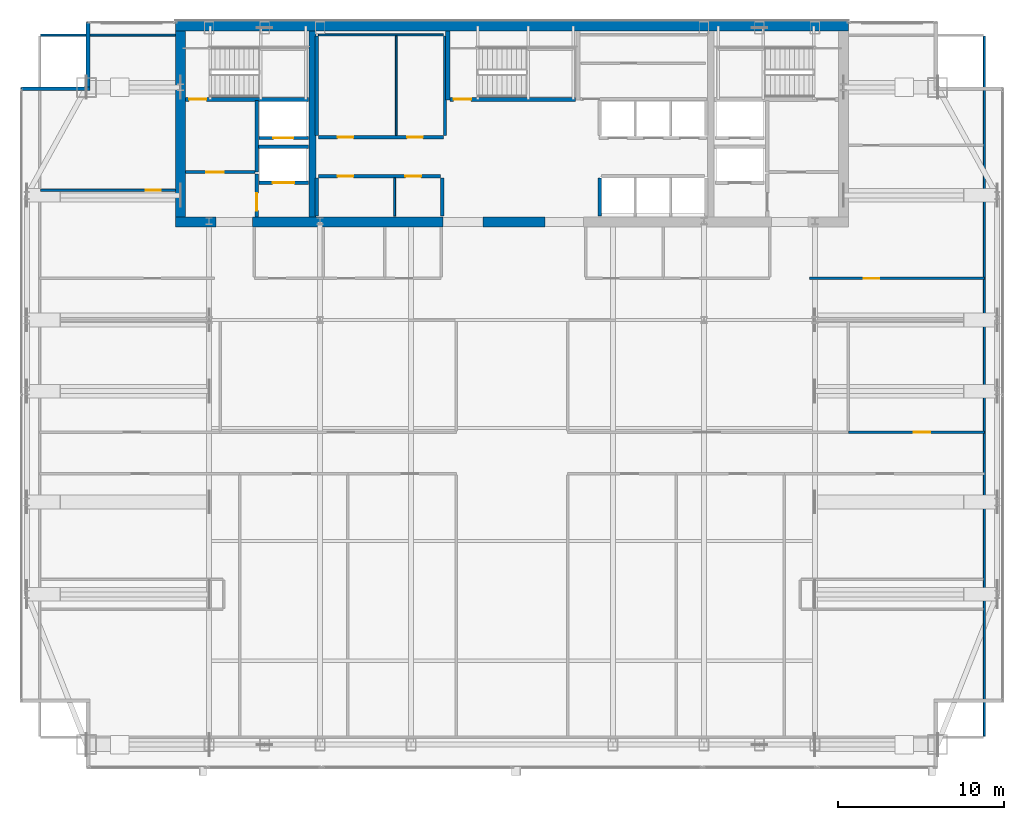
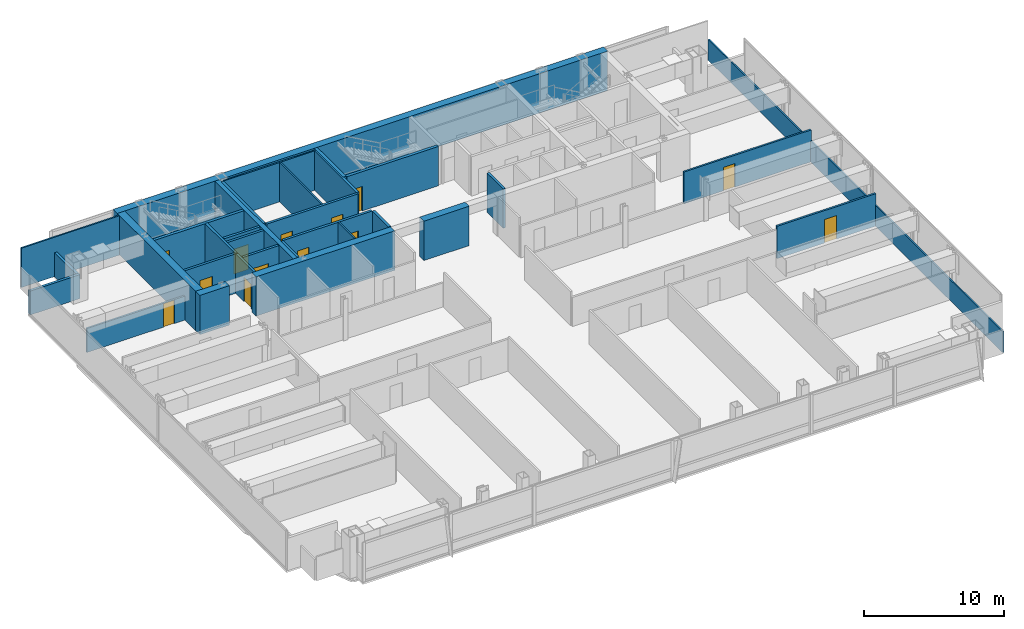
# One storey, part 22 of 26: 32 walls, 13 doors, 13 openings.
"""IFC4 building model written with IfcOpenShell, lengths in metres."""

import ifcopenshell
import ifcopenshell.guid

model = None  # the IFC model being written
_history = None  # IfcOwnerHistory: only IFC2X3 demands one
_inside = {}  # id of a spatial element -> (the spatial element, [elements in it])
_under = {}  # id of a project, library or spatial element -> (it, [spatial elements below it])
_declared = {}  # id of a project -> (the project, [libraries it declares])
_typed = {}  # id of a type object -> (the type object, [elements of that type])
_made_of = {}  # id of a material, layer set ... -> (it, [elements and type objects made of it])


def new_model(schema):
    """Start an empty IFC model of exactly this schema.

    Asked for "IFC4X3", IfcOpenShell would pick the latest addendum, in which some entities
    have other attributes; the version numbers below select the first issue.
    IFC2X3 requires an IfcOwnerHistory on every rooted entity: one is made here for all.
    """
    global model, _history
    if schema == "IFC4X3":
        model = ifcopenshell.file(schema_version=(4, 3, 0, 0))
    else:
        model = ifcopenshell.file(schema=schema)
    _inside.clear()
    _under.clear()
    _declared.clear()
    _typed.clear()
    _made_of.clear()
    _history = None
    if model.schema == "IFC2X3":
        org = make("IfcOrganization", Name="unknown")
        user = make(
            "IfcPersonAndOrganization",
            ThePerson=make("IfcPerson", FamilyName="unknown"),
            TheOrganization=org,
        )
        app = make(
            "IfcApplication",
            ApplicationDeveloper=org,
            Version="unknown",
            ApplicationFullName="unknown",
            ApplicationIdentifier="unknown",
        )
        _history = make(
            "IfcOwnerHistory",
            OwningUser=user,
            OwningApplication=app,
            ChangeAction="ADDED",
            CreationDate=0,
        )
    return model


def make(cls, **values):
    """One entity of the class cls with the attributes given. An attribute that is None is left unset."""
    return model.create_entity(
        cls, **{name: value for name, value in values.items() if value is not None}
    )


def rooted(cls, **values):
    """An entity with a GlobalId (a new one), such as an element, a storey or a relation."""
    return make(cls, GlobalId=ifcopenshell.guid.new(), OwnerHistory=_history, **values)


def si_unit(unit_type, name, prefix=None):
    """IfcSIUnit, for example si_unit("LENGTHUNIT", "METRE", prefix="MILLI")."""
    return make("IfcSIUnit", UnitType=unit_type, Prefix=prefix, Name=name)


def assignment(units):
    """IfcUnitAssignment: the units of a project."""
    return None if units is None else make("IfcUnitAssignment", Units=units)


def point(xyz):
    """IfcCartesianPoint."""
    return None if xyz is None else make("IfcCartesianPoint", Coordinates=xyz)


def direction(xyz):
    """IfcDirection."""
    return None if xyz is None else make("IfcDirection", DirectionRatios=xyz)


def frame(location, z_axis=None, x_axis=None):
    """IfcAxis2Placement3D, a coordinate frame: its origin and axes. An axis left out is left unset."""
    return make(
        "IfcAxis2Placement3D",
        Location=point(location),
        Axis=direction(z_axis),
        RefDirection=direction(x_axis),
    )


def frame_2d(location, x_axis=None):
    """IfcAxis2Placement2D, a coordinate frame in the plane: its origin and x axis."""
    return make(
        "IfcAxis2Placement2D", Location=point(location), RefDirection=direction(x_axis)
    )


def origin():
    """The frame at (0, 0, 0) with its axes left unset."""
    return frame((0.0, 0.0, 0.0))


def place(relative_to, where):
    """IfcLocalPlacement: puts the frame where relative to a parent placement (None: the world)."""
    return make(
        "IfcLocalPlacement", PlacementRelTo=relative_to, RelativePlacement=where
    )


def context(
    kind, dimensions, precision=None, world=None, true_north=None, identifier=None
):
    """IfcGeometricRepresentationContext, for example the 3D "Model" context."""
    return make(
        "IfcGeometricRepresentationContext",
        ContextIdentifier=identifier,
        ContextType=kind,
        CoordinateSpaceDimension=dimensions,
        Precision=precision,
        WorldCoordinateSystem=world,
        TrueNorth=true_north,
    )


def subcontext(parent, identifier, kind, view, scale=None):
    """IfcGeometricRepresentationSubContext, for example "Body" below "Model"."""
    return make(
        "IfcGeometricRepresentationSubContext",
        ContextIdentifier=identifier,
        ContextType=kind,
        ParentContext=parent,
        TargetScale=scale,
        TargetView=view,
    )


def project(units=None, contexts=None):
    """IfcProject with its units and contexts."""
    return rooted(
        "IfcProject",
        Name="project",
        RepresentationContexts=contexts,
        UnitsInContext=assignment(units),
    )


def spatial(cls, under=None, at=None, **own):
    """A site, building, storey or space (cls), placed at a placement, below another one or the project."""
    s = rooted(cls, ObjectPlacement=at, **own)
    if under is not None:
        _under.setdefault(under.id(), (under, []))[1].append(s)
    return s


def profile(cls, at=None, kind="AREA", **sizes):
    """A parametric profile (cls). Its sizes go by their IFC names, for example OverallWidth=200.0."""
    return make(cls, ProfileType=kind, Position=at, **sizes)


def rectangle(**sizes):
    """IfcRectangleProfileDef."""
    return profile("IfcRectangleProfileDef", **sizes)


def extrude(swept, where, along, depth):
    """IfcExtrudedAreaSolid: the profile swept, set in the frame where, extruded along a direction by depth."""
    return make(
        "IfcExtrudedAreaSolid",
        SweptArea=swept,
        Position=where,
        ExtrudedDirection=direction(along),
        Depth=depth,
    )


def shape(context_of_items, identifier, shape_type, items):
    """IfcShapeRepresentation: the items that make up one representation, for example the "Body"."""
    return make(
        "IfcShapeRepresentation",
        ContextOfItems=context_of_items,
        RepresentationIdentifier=identifier,
        RepresentationType=shape_type,
        Items=items,
    )


def material(Name=None, Category=None):
    """IfcMaterial."""
    return make("IfcMaterial", Name=Name, Category=Category)


def layer(
    of_material, thickness, ventilated=None, Name=None, Category=None, Priority=None
):
    """IfcMaterialLayer: one layer of a wall or slab, of a material (None: an air gap)."""
    return make(
        "IfcMaterialLayer",
        Material=of_material,
        LayerThickness=thickness,
        IsVentilated=ventilated,
        Name=Name,
        Category=Category,
        Priority=Priority,
    )


def layer_set(layers, Name=None):
    """IfcMaterialLayerSet."""
    return make("IfcMaterialLayerSet", MaterialLayers=layers, LayerSetName=Name)


def made_of(thing, what):
    """Note that an element or type object is made of a material, layer set ...; save() writes the relation."""
    if what is not None:
        _made_of.setdefault(what.id(), (what, []))[1].append(thing)
    return thing


def type_object(cls, material=None, **own):
    """A type object (cls), such as IfcWallType, which elements share."""
    return made_of(rooted(cls, **own), material)


def element(
    cls,
    number,
    at=None,
    inside=None,
    cuts=None,
    type_object=None,
    material=None,
    context=None,
    identifier="Body",
    shape_type=None,
    held_by="IfcProductDefinitionShape",
    body=None,
    shapes=None,
    **own,
):
    """One element of the class cls, such as IfcWall. Its Tag is "e" and its number.

    at: its placement. inside: the storey or other place that contains it. cuts: it is an
    opening in that element (IfcRelVoidsElement). A single representation is given by context,
    identifier, shape_type and body (its items); several are given by shapes. held_by: the class
    of the entity that holds the representations. save() writes the other relations.
    """
    e = rooted(cls, Tag="e%d" % number, ObjectPlacement=at, **own)
    if body is not None:
        shapes = [shape(context, identifier, shape_type, body)]
    if shapes is not None:
        e.Representation = make(held_by, Representations=shapes)
    if inside is not None:
        _inside.setdefault(inside.id(), (inside, []))[1].append(e)
    if cuts is not None:
        rooted(
            "IfcRelVoidsElement", RelatingBuildingElement=cuts, RelatedOpeningElement=e
        )
    if type_object is not None:
        _typed.setdefault(type_object.id(), (type_object, []))[1].append(e)
    return made_of(e, material)


def fill(opening, filler):
    """IfcRelFillsElement: the door or window that sits in an opening."""
    return rooted(
        "IfcRelFillsElement",
        RelatingOpeningElement=opening,
        RelatedBuildingElement=filler,
    )


def aggregate(whole, parts):
    """IfcRelAggregates: a whole, such as a stair, and the parts it consists of."""
    return rooted("IfcRelAggregates", RelatingObject=whole, RelatedObjects=parts)


def save(model, path):
    """Write the relations noted so far, then the file.

    IfcRelAggregates (storeys below a building ...), IfcRelContainedInSpatialStructure (elements
    in a storey), IfcRelDefinesByType, IfcRelAssociatesMaterial and IfcRelDeclares: one each for
    every whole, place, type object, material and project.
    """
    for whole, parts in _under.values():
        aggregate(whole, parts)
    for where, things in _inside.values():
        rooted(
            "IfcRelContainedInSpatialStructure",
            RelatedElements=things,
            RelatingStructure=where,
        )
    for kind, things in _typed.values():
        rooted("IfcRelDefinesByType", RelatedObjects=things, RelatingType=kind)
    for what, things in _made_of.values():
        rooted("IfcRelAssociatesMaterial", RelatedObjects=things, RelatingMaterial=what)
    for by, libraries in _declared.values():
        rooted("IfcRelDeclares", RelatingContext=by, RelatedDefinitions=libraries)
    model.write(path)


model = new_model("IFC4")

# Units and contexts
model_context = context("Model", 3, precision=1e-05, world=origin(), true_north=direction((0.0, 1.0)))
body_context = subcontext(model_context, "Body", "Model", "MODEL_VIEW")
ifc_project = project(units=[si_unit("LENGTHUNIT", "METRE"), si_unit("AREAUNIT", "SQUARE_METRE"), si_unit("VOLUMEUNIT", "CUBIC_METRE"), si_unit("PLANEANGLEUNIT", "RADIAN"), si_unit("MASSUNIT", "GRAM", prefix="KILO")], contexts=[model_context])

# Site, building, storey
site_placement = place(None, origin())
site = spatial("IfcSite", under=ifc_project, at=site_placement, CompositionType="ELEMENT")
building_placement = place(site_placement, origin())
building = spatial("IfcBuilding", under=site, at=building_placement, Name="Khoronbel Lancet Exchange", CompositionType="ELEMENT")
storey_placement = place(building_placement, frame((0.0, 0.0, 235.39990234375)))
storey = spatial("IfcBuildingStorey", under=building, at=storey_placement, Name="L60", CompositionType="ELEMENT", Elevation=235.39990234375)

# Walls
ifc_material_1 = material(Name="Concrete C60/75", Category="concrete")
ifc_layer_1 = layer(ifc_material_1, 0.60009765625, Name="Concrete C60/75")
ifc_layer_set_1 = layer_set([ifc_layer_1], Name="Concrete C60/75")
wall_type_1 = type_object("IfcWallType", Name="WL-CW3", PredefinedType="SHEAR", material=ifc_layer_set_1)
wall_1_placement = place(storey_placement, frame((16.199951171875, 53.39990234375, 0.0), z_axis=(0.0, 0.0, 1.0), x_axis=(1.0, 0.0, 0.0)))
element("IfcWall", 1, at=wall_1_placement, inside=storey, type_object=wall_type_1, Name="Level L60 rear core north shear wall", PredefinedType="SHEAR", context=body_context, shape_type="SweptSolid", body=[
    extrude(rectangle(XDim=40.5, YDim=0.60009765625, at=frame_2d((20.25, 0.0))), origin(), (0.0, 0.0, 1.0), 3.440185546875),
])
wall_2_placement = place(storey_placement, frame((16.5, 41.89990234375, 0.0), z_axis=(0.0, 0.0, 1.0), x_axis=(0.0, 1.0, 0.0)))
element("IfcWall", 2, at=wall_2_placement, inside=storey, type_object=wall_type_1, Name="Level L60 rear core west shear wall", PredefinedType="SHEAR", context=body_context, shape_type="SweptSolid", body=[
    extrude(rectangle(XDim=11.2001953125, YDim=0.60009765625, at=frame_2d((5.60009765625, 0.0))), origin(), (0.0, 0.0, 1.0), 3.440185546875),
])
wall_3_placement = place(storey_placement, frame((18.64990234375, 41.60009765625, 0.0), z_axis=(0.0, 0.0, 1.0), x_axis=(-1.0, 0.0, 0.0)))
element("IfcWall", 3, at=wall_3_placement, inside=storey, type_object=wall_type_1, Name="Level L60 rear core south shear wall pier P1", PredefinedType="SHEAR", context=body_context, shape_type="SweptSolid", body=[
    extrude(rectangle(XDim=2.449951171875, YDim=0.60009765625, at=frame_2d((1.22509765625, 0.0))), origin(), (0.0, 0.0, 1.0), 3.440185546875),
])
wall_4_placement = place(storey_placement, frame((32.300048828125, 41.60009765625, 0.0), z_axis=(0.0, 0.0, 1.0), x_axis=(-1.0, 0.0, 0.0)))
element("IfcWall", 4, at=wall_4_placement, inside=storey, type_object=wall_type_1, Name="Level L60 rear core south shear wall pier P2", PredefinedType="SHEAR", context=body_context, shape_type="SweptSolid", body=[
    extrude(rectangle(XDim=11.449951171875, YDim=0.60009765625, at=frame_2d((5.72509765625, 0.0))), origin(), (0.0, 0.0, 1.0), 3.440185546875),
])
wall_5_placement = place(storey_placement, frame((38.449951171875, 41.60009765625, 0.0), z_axis=(0.0, 0.0, 1.0), x_axis=(-1.0, 0.0, 0.0)))
element("IfcWall", 5, at=wall_5_placement, inside=storey, type_object=wall_type_1, Name="Level L60 rear core south shear wall pier P3", PredefinedType="SHEAR", context=body_context, shape_type="SweptSolid", body=[
    extrude(rectangle(XDim=3.75, YDim=0.60009765625, at=frame_2d((1.875, 0.0))), origin(), (0.0, 0.0, 1.0), 3.440185546875),
])
ifc_material_2 = material(Name="Precast concrete C40/50", Category="concrete")
ifc_layer_2 = layer(ifc_material_2, 0.25, Name="Precast concrete C40/50")
ifc_layer_set_2 = layer_set([ifc_layer_2], Name="Precast concrete C40/50")
wall_type_2 = type_object("IfcWallType", Name="WL-EXT250", PredefinedType="SOLIDWALL", material=ifc_layer_set_2)
wall_6_placement = place(storey_placement, frame((6.919921875, 49.610107421875, 0.0), z_axis=(0.0, 0.0, 1.0), x_axis=(1.0, 0.0, 0.0)))
element("IfcWall", 6, at=wall_6_placement, inside=storey, type_object=wall_type_2, Name="Level L60 notched-corner limestone pier 04", PredefinedType="SOLIDWALL", context=body_context, shape_type="SweptSolid", body=[
    extrude(rectangle(XDim=4.130126953125, YDim=0.219970703125, at=frame_2d((2.06494140625, 0.0))), origin(), (0.0, 0.0, 1.0), 2.090087890625),
])
wall_7_placement = place(storey_placement, frame((10.93994140625, 49.719970703125, 0.0), z_axis=(0.0, 0.0, 1.0), x_axis=(0.0, 1.0, 0.0)))
element("IfcWall", 7, at=wall_7_placement, inside=storey, type_object=wall_type_2, Name="Level L60 notched-corner limestone pier 05", PredefinedType="SOLIDWALL", context=body_context, shape_type="SweptSolid", body=[
    extrude(rectangle(XDim=3.909912109375, YDim=0.219970703125, at=frame_2d((1.955078125, 0.0))), origin(), (0.0, 0.0, 1.0), 2.090087890625),
])

# Wall, opening, door
ifc_material_3 = material(Name="Acoustic Metal-Stud & Mineral-Wool Gypsum Partition 120 mm", Category="gypsum")
ifc_layer_3 = layer(ifc_material_3, 0.1201171875, Name="Acoustic Metal-Stud & Mineral-Wool Gypsum Partition 120 mm")
ifc_layer_set_3 = layer_set([ifc_layer_3], Name="Acoustic Metal-Stud & Mineral-Wool Gypsum Partition 120 mm")
wall_type_3 = type_object("IfcWallType", Name="WL-PRT120", PredefinedType="PARTITIONING", material=ifc_layer_set_3)
wall_8_placement = place(storey_placement, frame((8.094970703125, 43.5, 0.0), z_axis=(0.0, 0.0, 1.0), x_axis=(1.0, 0.0, 0.0)))
wall_8 = element("IfcWall", 8, at=wall_8_placement, inside=storey, type_object=wall_type_3, Name="Level L60 interior partition PW-NW-H", PredefinedType="PARTITIONING", context=body_context, shape_type="SweptSolid", body=[
    extrude(rectangle(XDim=8.10498046875, YDim=0.14990234375, at=frame_2d((4.052490234375, 0.0))), origin(), (0.0, 0.0, 1.0), 2.090087890625),
])
opening_1_placement = place(wall_8_placement, frame((6.320068359375, 0.0, 0.0)))
opening_1 = element("IfcOpeningElement", 9, at=opening_1_placement, cuts=wall_8, Name="Opening D5", PredefinedType="OPENING", context=body_context, shape_type="SweptSolid", body=[
    extrude(rectangle(XDim=0.89990234375, YDim=2.050048828125, at=frame_2d((0.449951171875, 1.02490234375))), frame((0.0, 0.0849609375, 0.0), z_axis=(0.0, -1.0, 0.0), x_axis=(1.0, 0.0, 0.0)), (0.0, 0.0, 1.0), 0.169921875),
])
ifc_material_4 = material(Name="Acoustic Timber Pantry & Support Door", Category="wood")
door_type_1 = type_object("IfcDoorType", Name="DR-D5", OperationType="NOTDEFINED", PredefinedType="DOOR", material=ifc_material_4)
door_1_placement = place(opening_1_placement, origin())
door_1 = element("IfcDoor", 10, at=door_1_placement, inside=storey, type_object=door_type_1, Name="NW north room door L60-1", OperationType="SINGLE_SWING_RIGHT", OverallHeight=2.050048828125, OverallWidth=0.89990234375, PredefinedType="DOOR", context=body_context, shape_type="SweptSolid", body=[
    extrude(rectangle(XDim=0.89990234375, YDim=2.050048828125, at=frame_2d((0.449951171875, 1.02490234375))), frame((0.0, 0.02490234375, 0.0), z_axis=(0.0, -1.0, 0.0), x_axis=(1.0, 0.0, 0.0)), (0.0, 0.0, 1.0), 0.050048828125),
])
fill(opening_1, door_1)

# Walls
wall_9_placement = place(storey_placement, frame((64.8701171875, 10.6650390625, 0.0), z_axis=(0.0, 0.0, 1.0), x_axis=(0.0, 1.0, 0.0)))
element("IfcWall", 11, at=wall_9_placement, inside=storey, type_object=wall_type_3, Name="Level L60 interior partition PW-LIN-E", PredefinedType="PARTITIONING", context=body_context, shape_type="SweptSolid", body=[
    extrude(rectangle(XDim=42.10986328125, YDim=0.1201171875, at=frame_2d((21.054931640625, 0.0))), origin(), (0.0, 0.0, 1.0), 1.830078125),
])
wall_10_placement = place(storey_placement, frame((8.094970703125, 52.840087890625, 0.0), z_axis=(0.0, 0.0, 1.0), x_axis=(1.0, 0.0, 0.0)))
element("IfcWall", 12, at=wall_10_placement, inside=storey, type_object=wall_type_3, Name="Level L60 interior partition PW-LIN-NW", PredefinedType="PARTITIONING", context=body_context, shape_type="SweptSolid", body=[
    extrude(rectangle(XDim=8.10498046875, YDim=0.1201171875, at=frame_2d((4.052490234375, 0.0))), origin(), (0.0, 0.0, 1.0), 3.440185546875),
])
ifc_material_5 = material(Name="Fire-Rated Metal-Stud & Mineral-Wool Gypsum Partition 120 mm", Category="gypsum")
ifc_layer_4 = layer(ifc_material_5, 0.1201171875, Name="Fire-Rated Metal-Stud & Mineral-Wool Gypsum Partition 120 mm")
ifc_layer_set_4 = layer_set([ifc_layer_4], Name="Fire-Rated Metal-Stud & Mineral-Wool Gypsum Partition 120 mm")
wall_type_4 = type_object("IfcWallType", Name="WL-PRT120F", PredefinedType="PARTITIONING", material=ifc_layer_set_4)
wall_11_placement = place(storey_placement, frame((24.804931640625, 52.860107421875, 0.0), z_axis=(0.0, 0.0, 1.0), x_axis=(1.0, 0.0, 0.0)))
element("IfcWall", 13, at=wall_11_placement, inside=storey, type_object=wall_type_4, Name="Level L60 interior partition CW-PL-RN", PredefinedType="PARTITIONING", context=body_context, shape_type="SweptSolid", body=[
    extrude(rectangle(XDim=7.510009765625, YDim=0.1201171875, at=frame_2d((3.7548828125, 0.0))), origin(), (0.0, 0.0, 1.0), 3.440185546875),
])
wall_12_placement = place(storey_placement, frame((29.486328125, 46.804931640625, 0.0), z_axis=(0.0, 0.0, 1.0), x_axis=(0.0, 1.0, 0.0)))
element("IfcWall", 14, at=wall_12_placement, inside=storey, type_object=wall_type_4, Name="Level L60 interior partition CW-PL-RS2", PredefinedType="PARTITIONING", context=body_context, shape_type="SweptSolid", body=[
    extrude(rectangle(XDim=5.989990234375, YDim=0.1201171875, at=frame_2d((2.9951171875, 0.0))), origin(), (0.0, 0.0, 1.0), 3.440185546875),
])
wall_13_placement = place(storey_placement, frame((29.381103515625, 41.949951171875, 0.0), z_axis=(0.0, 0.0, 1.0), x_axis=(0.0, 1.0, 0.0)))
element("IfcWall", 15, at=wall_13_placement, inside=storey, type_object=wall_type_4, Name="Level L60 interior partition CW-PM-RS2", PredefinedType="PARTITIONING", context=body_context, shape_type="SweptSolid", body=[
    extrude(rectangle(XDim=2.295166015625, YDim=0.1201171875, at=frame_2d((1.1474609375, 0.0))), origin(), (0.0, 0.0, 1.0), 3.440185546875),
])

# Wall, opening, door
ifc_material_6 = material(Name="Fire-Rated Twin-Stud Acoustic Gypsum Partition 150 mm", Category="gypsum")
ifc_layer_5 = layer(ifc_material_6, 0.14990234375, Name="Fire-Rated Twin-Stud Acoustic Gypsum Partition 150 mm")
ifc_layer_set_5 = layer_set([ifc_layer_5], Name="Fire-Rated Twin-Stud Acoustic Gypsum Partition 150 mm")
wall_type_5 = type_object("IfcWallType", Name="WL-PRT150C", PredefinedType="PARTITIONING", material=ifc_layer_set_5)
wall_14_placement = place(storey_placement, frame((54.35009765625, 38.199951171875, 0.0), z_axis=(0.0, 0.0, 1.0), x_axis=(1.0, 0.0, 0.0)))
wall_14 = element("IfcWall", 16, at=wall_14_placement, inside=storey, type_object=wall_type_5, Name="Level L60 interior partition PW-NE-S", PredefinedType="PARTITIONING", context=body_context, shape_type="SweptSolid", body=[
    extrude(rectangle(XDim=10.52001953125, YDim=0.14990234375, at=frame_2d((5.260009765625, 0.0))), origin(), (0.0, 0.0, 1.0), 2.780029296875),
])
opening_2_placement = place(wall_14_placement, frame((3.25, 0.0, 0.0)))
opening_2 = element("IfcOpeningElement", 17, at=opening_2_placement, cuts=wall_14, Name="Opening D1", PredefinedType="OPENING", context=body_context, shape_type="SweptSolid", body=[
    extrude(rectangle(XDim=0.949951171875, YDim=2.050048828125, at=frame_2d((0.47509765625, 1.02490234375))), frame((0.0, 0.0849609375, 0.0), z_axis=(0.0, -1.0, 0.0), x_axis=(1.0, 0.0, 0.0)), (0.0, 0.0, 1.0), 0.169921875),
])
ifc_material_7 = material(Name="Acoustic Veneered Timber & Bronze Frame Door", Category="wood")
door_type_2 = type_object("IfcDoorType", Name="DR-D1", OperationType="NOTDEFINED", PredefinedType="DOOR", material=ifc_material_7)
door_2_placement = place(opening_2_placement, origin())
door_2 = element("IfcDoor", 18, at=door_2_placement, inside=storey, type_object=door_type_2, Name="NE corner room door L60-1", OperationType="SINGLE_SWING_LEFT", OverallHeight=2.050048828125, OverallWidth=0.949951171875, PredefinedType="DOOR", context=body_context, shape_type="SweptSolid", body=[
    extrude(rectangle(XDim=0.949951171875, YDim=2.050048828125, at=frame_2d((0.47509765625, 1.02490234375))), frame((0.0, 0.02490234375, 0.0), z_axis=(0.0, -1.0, 0.0), x_axis=(1.0, 0.0, 0.0)), (0.0, 0.0, 1.0), 0.050048828125),
])
fill(opening_2, door_2)

ifc_material_8 = material(Name="Fire-Rated Twin-Stud Acoustic Gypsum Partition 160 mm", Category="gypsum")
ifc_layer_6 = layer(ifc_material_8, 0.159912109375, Name="Fire-Rated Twin-Stud Acoustic Gypsum Partition 160 mm")
ifc_layer_set_6 = layer_set([ifc_layer_6], Name="Fire-Rated Twin-Stud Acoustic Gypsum Partition 160 mm")
wall_type_6 = type_object("IfcWallType", Name="WL-PRT160C", PredefinedType="PARTITIONING", material=ifc_layer_set_6)
wall_15_placement = place(storey_placement, frame((56.683837890625, 28.949951171875, 0.0), z_axis=(0.0, 0.0, 1.0), x_axis=(1.0, 0.0, 0.0)))
wall_15 = element("IfcWall", 19, at=wall_15_placement, inside=storey, type_object=wall_type_6, Name="Level L60 interior partition PW-Z3NE-COR2", PredefinedType="PARTITIONING", context=body_context, shape_type="SweptSolid", body=[
    extrude(rectangle(XDim=8.186279296875, YDim=0.159912109375, at=frame_2d((4.09326171875, 0.0))), origin(), (0.0, 0.0, 1.0), 2.830078125),
])
opening_3_placement = place(wall_15_placement, frame((3.938232421875, 0.0, 0.0)))
opening_3 = element("IfcOpeningElement", 20, at=opening_3_placement, cuts=wall_15, Name="Opening D2", PredefinedType="OPENING", context=body_context, shape_type="SweptSolid", body=[
    extrude(rectangle(XDim=1.0, YDim=2.050048828125, at=frame_2d((0.5, 1.02490234375))), frame((0.0, 0.08984375, 0.0), z_axis=(0.0, -1.0, 0.0), x_axis=(1.0, 0.0, 0.0)), (0.0, 0.0, 1.0), 0.179931640625),
])
door_type_3 = type_object("IfcDoorType", Name="DR-D2", OperationType="NOTDEFINED", PredefinedType="DOOR", material=ifc_material_7)
door_3_placement = place(opening_3_placement, origin())
door_3 = element("IfcDoor", 21, at=door_3_placement, inside=storey, type_object=door_type_3, Name="Z3NE bay 2 door L60-1", OperationType="SINGLE_SWING_LEFT", OverallHeight=2.050048828125, OverallWidth=1.0, PredefinedType="DOOR", context=body_context, shape_type="SweptSolid", body=[
    extrude(rectangle(XDim=1.0, YDim=2.050048828125, at=frame_2d((0.5, 1.02490234375))), frame((0.0, 0.02490234375, 0.0), z_axis=(0.0, -1.0, 0.0), x_axis=(1.0, 0.0, 0.0)), (0.0, 0.0, 1.0), 0.050048828125),
])
fill(opening_3, door_3)

ifc_material_9 = material(Name="Autoclaved Aerated Concrete Blockwork 200 mm", Category="masonry")
ifc_layer_7 = layer(ifc_material_9, 0.199951171875, Name="Autoclaved Aerated Concrete Blockwork 200 mm")
ifc_layer_set_7 = layer_set([ifc_layer_7], Name="Autoclaved Aerated Concrete Blockwork 200 mm")
wall_type_7 = type_object("IfcWallType", Name="WL-PRT200", PredefinedType="PARTITIONING", material=ifc_layer_set_7)
wall_16_placement = place(storey_placement, frame((24.2099609375, 43.949951171875, 0.0), z_axis=(0.0, 0.0, 1.0), x_axis=(-1.0, 0.0, 0.0)))
wall_16 = element("IfcWall", 22, at=wall_16_placement, inside=storey, type_object=wall_type_7, Name="Level L60 elevator hoistway landing front wall SVLW", PredefinedType="PARTITIONING", context=body_context, shape_type="SweptSolid", body=[
    extrude(rectangle(XDim=2.969970703125, YDim=0.199951171875, at=frame_2d((1.48486328125, 0.0))), origin(), (0.0, 0.0, 1.0), 3.440185546875),
])
opening_4_placement = place(wall_16_placement, frame((0.860107421875, 0.0, 0.0)))
opening_4 = element("IfcOpeningElement", 23, at=opening_4_placement, cuts=wall_16, Name="Opening LD-SVL1", PredefinedType="OPENING", context=body_context, shape_type="SweptSolid", body=[
    extrude(rectangle(XDim=1.300048828125, YDim=2.179931640625, at=frame_2d((0.64990234375, 1.08984375))), frame((0.0, 0.10986328125, 0.0), z_axis=(0.0, -1.0, 0.0), x_axis=(1.0, 0.0, 0.0)), (0.0, 0.0, 1.0), 0.219970703125),
])
ifc_material_10 = material(Name="Heavy-Duty Bi-Parting Goods Lift Landing Door", Category="steel")
door_type_4 = type_object("IfcDoorType", Name="DR-LD-SVL", OperationType="NOTDEFINED", PredefinedType="DOOR", material=ifc_material_10)
door_4_placement = place(opening_4_placement, origin())
door_4 = element("IfcDoor", 24, at=door_4_placement, inside=storey, type_object=door_type_4, Name="Elevator landing sliding door LD-SVL1 L60", OperationType="SLIDING_TO_LEFT", OverallHeight=2.179931640625, OverallWidth=1.300048828125, PredefinedType="DOOR", context=body_context, shape_type="SweptSolid", body=[
    extrude(rectangle(XDim=1.300048828125, YDim=2.179931640625, at=frame_2d((0.64990234375, 1.08984375))), frame((0.0, 0.02490234375, 0.0), z_axis=(0.0, -1.0, 0.0), x_axis=(1.0, 0.0, 0.0)), (0.0, 0.0, 1.0), 0.050048828125),
])
fill(opening_4, door_4)

wall_17_placement = place(storey_placement, frame((24.2099609375, 46.64990234375, 0.0), z_axis=(0.0, 0.0, 1.0), x_axis=(-1.0, 0.0, 0.0)))
wall_17 = element("IfcWall", 25, at=wall_17_placement, inside=storey, type_object=wall_type_7, Name="Level L60 elevator hoistway landing front wall FFLW", PredefinedType="PARTITIONING", context=body_context, shape_type="SweptSolid", body=[
    extrude(rectangle(XDim=2.969970703125, YDim=0.199951171875, at=frame_2d((1.48486328125, 0.0))), origin(), (0.0, 0.0, 1.0), 3.440185546875),
])
opening_5_placement = place(wall_17_placement, frame((0.909912109375, 0.0, 0.0)))
opening_5 = element("IfcOpeningElement", 26, at=opening_5_placement, cuts=wall_17, Name="Opening LD-FFL1", PredefinedType="OPENING", context=body_context, shape_type="SweptSolid", body=[
    extrude(rectangle(XDim=1.199951171875, YDim=2.179931640625, at=frame_2d((0.60009765625, 1.08984375))), frame((0.0, 0.10986328125, 0.0), z_axis=(0.0, -1.0, 0.0), x_axis=(1.0, 0.0, 0.0)), (0.0, 0.0, 1.0), 0.219970703125),
])
ifc_material_11 = material(Name="Fire-Rated Stainless Bi-Parting Firefighting Lift Door", Category="steel")
door_type_5 = type_object("IfcDoorType", Name="DR-LD-FFL", OperationType="NOTDEFINED", PredefinedType="DOOR", material=ifc_material_11)
door_5_placement = place(opening_5_placement, origin())
door_5 = element("IfcDoor", 27, at=door_5_placement, inside=storey, type_object=door_type_5, Name="Elevator landing sliding door LD-FFL1 L60", OperationType="SLIDING_TO_LEFT", OverallHeight=2.179931640625, OverallWidth=1.199951171875, PredefinedType="DOOR", context=body_context, shape_type="SweptSolid", body=[
    extrude(rectangle(XDim=1.199951171875, YDim=2.179931640625, at=frame_2d((0.60009765625, 1.08984375))), frame((0.0, 0.02490234375, 0.0), z_axis=(0.0, -1.0, 0.0), x_axis=(1.0, 0.0, 0.0)), (0.0, 0.0, 1.0), 0.050048828125),
])
fill(opening_5, door_5)

# Wall
wall_18_placement = place(storey_placement, frame((21.10009765625, 44.60009765625, 0.0), z_axis=(0.0, 0.0, 1.0), x_axis=(0.0, 1.0, 0.0)))
element("IfcWall", 28, at=wall_18_placement, inside=storey, type_object=wall_type_7, Name="Level L60 interior partition CW-FFLW-E", PredefinedType="PARTITIONING", context=body_context, shape_type="SweptSolid", body=[
    extrude(rectangle(XDim=4.2998046875, YDim=0.199951171875, at=frame_2d((2.14990234375, 0.0))), origin(), (0.0, 0.0, 1.0), 3.440185546875),
])

# Wall, opening, door
wall_19_placement = place(storey_placement, frame((16.800048828125, 44.60009765625, 0.0), z_axis=(0.0, 0.0, 1.0), x_axis=(1.0, 0.0, 0.0)))
wall_19 = element("IfcWall", 29, at=wall_19_placement, inside=storey, type_object=wall_type_7, Name="Level L60 interior partition CW-FFLW-S", PredefinedType="PARTITIONING", context=body_context, shape_type="SweptSolid", body=[
    extrude(rectangle(XDim=4.199951171875, YDim=0.199951171875, at=frame_2d((2.10009765625, 0.0))), origin(), (0.0, 0.0, 1.0), 3.440185546875),
])
opening_6_placement = place(wall_19_placement, frame((1.25, 0.0, 0.0)))
opening_6 = element("IfcOpeningElement", 30, at=opening_6_placement, cuts=wall_19, Name="Opening FD1", PredefinedType="OPENING", context=body_context, shape_type="SweptSolid", body=[
    extrude(rectangle(XDim=1.050048828125, YDim=2.14990234375, at=frame_2d((0.52490234375, 1.074951171875))), frame((0.0, 0.10986328125, 0.0), z_axis=(0.0, -1.0, 0.0), x_axis=(1.0, 0.0, 0.0)), (0.0, 0.0, 1.0), 0.219970703125),
])
ifc_material_12 = material(Name="Fire-Rated Painted Steel Door Assembly", Category="steel")
door_type_6 = type_object("IfcDoorType", Name="DR-FD1", OperationType="NOTDEFINED", PredefinedType="DOOR", material=ifc_material_12)
door_6_placement = place(opening_6_placement, origin())
door_6 = element("IfcDoor", 31, at=door_6_placement, inside=storey, type_object=door_type_6, Name="West firefighting lobby FD90S door L60-1", OperationType="SINGLE_SWING_LEFT", OverallHeight=2.14990234375, OverallWidth=1.050048828125, PredefinedType="DOOR", context=body_context, shape_type="SweptSolid", body=[
    extrude(rectangle(XDim=1.050048828125, YDim=2.14990234375, at=frame_2d((0.52490234375, 1.074951171875))), frame((0.0, 0.02490234375, 0.0), z_axis=(0.0, -1.0, 0.0), x_axis=(1.0, 0.0, 0.0)), (0.0, 0.0, 1.0), 0.050048828125),
])
fill(opening_6, door_6)

# Wall
wall_20_placement = place(storey_placement, frame((21.199951171875, 46.1201171875, 0.0), z_axis=(0.0, 0.0, 1.0), x_axis=(1.0, 0.0, 0.0)))
element("IfcWall", 32, at=wall_20_placement, inside=storey, type_object=wall_type_7, Name="Level L60 interior partition CW-FFL1-S", PredefinedType="PARTITIONING", context=body_context, shape_type="SweptSolid", body=[
    extrude(rectangle(XDim=3.02001953125, YDim=0.199951171875, at=frame_2d((1.510009765625, 0.0))), origin(), (0.0, 0.0, 1.0), 3.440185546875),
])

# Wall, opening, door
wall_21_placement = place(storey_placement, frame((21.10009765625, 41.89990234375, 0.0), z_axis=(0.0, 0.0, 1.0), x_axis=(0.0, 1.0, 0.0)))
wall_21 = element("IfcWall", 33, at=wall_21_placement, inside=storey, type_object=wall_type_7, Name="Level L60 interior partition CW-SVLW-W", PredefinedType="PARTITIONING", context=body_context, shape_type="SweptSolid", body=[
    extrude(rectangle(XDim=2.59521484375, YDim=0.199951171875, at=frame_2d((1.297607421875, 0.0))), origin(), (0.0, 0.0, 1.0), 3.440185546875),
])
opening_7_placement = place(wall_21_placement, frame((0.3798828125, 0.0, 0.0)))
opening_7 = element("IfcOpeningElement", 34, at=opening_7_placement, cuts=wall_21, Name="Opening FD1", PredefinedType="OPENING", context=body_context, shape_type="SweptSolid", body=[
    extrude(rectangle(XDim=1.050048828125, YDim=2.14990234375, at=frame_2d((0.52490234375, 1.074951171875))), frame((0.0, 0.10986328125, 0.0), z_axis=(0.0, -1.0, 0.0), x_axis=(1.0, 0.0, 0.0)), (0.0, 0.0, 1.0), 0.219970703125),
])
door_7_placement = place(opening_7_placement, origin())
door_7 = element("IfcDoor", 35, at=door_7_placement, inside=storey, type_object=door_type_6, Name="West service lift lobby door L60-1", OperationType="SINGLE_SWING_RIGHT", OverallHeight=2.14990234375, OverallWidth=1.050048828125, PredefinedType="DOOR", context=body_context, shape_type="SweptSolid", body=[
    extrude(rectangle(XDim=1.050048828125, YDim=2.14990234375, at=frame_2d((0.52490234375, 1.074951171875))), frame((0.0, 0.02490234375, 0.0), z_axis=(0.0, -1.0, 0.0), x_axis=(1.0, 0.0, 0.0)), (0.0, 0.0, 1.0), 0.050048828125),
])
fill(opening_7, door_7)

# Walls
for number, where, z_axis, x_axis, name in (
    (36, (24.699951171875, 46.804931640625, 0.0), (0.0, 0.0, 1.0), (0.0, 1.0, 0.0), "Level L60 interior partition CW-PL-RW"),
    (37, (32.419921875, 46.804931640625, 0.0), (0.0, 0.0, 1.0), (0.0, 1.0, 0.0), "Level L60 interior partition CW-PL-RE"),
):
    element("IfcWall", number, at=place(storey_placement, frame(where, z_axis=z_axis, x_axis=x_axis)), inside=storey, type_object=wall_type_7, Name=name, PredefinedType="PARTITIONING", context=body_context, shape_type="SweptSolid", body=[
        extrude(rectangle(XDim=5.989990234375, YDim=0.199951171875, at=frame_2d((2.9951171875, 0.0))), origin(), (0.0, 0.0, 1.0), 3.440185546875),
    ])

# Wall, openings, doors
wall_22_placement = place(storey_placement, frame((24.804931640625, 46.699951171875, 0.0), z_axis=(0.0, 0.0, 1.0), x_axis=(1.0, 0.0, 0.0)))
wall_22 = element("IfcWall", 38, at=wall_22_placement, inside=storey, type_object=wall_type_7, Name="Level L60 interior partition CW-PL-RF", PredefinedType="PARTITIONING", context=body_context, shape_type="SweptSolid", body=[
    extrude(rectangle(XDim=7.510009765625, YDim=0.199951171875, at=frame_2d((3.7548828125, 0.0))), origin(), (0.0, 0.0, 1.0), 3.440185546875),
])
opening_8_placement = place(wall_22_placement, frame((1.14990234375, 0.0, 0.0)))
opening_8 = element("IfcOpeningElement", 39, at=opening_8_placement, cuts=wall_22, Name="Opening FD3", PredefinedType="OPENING", context=body_context, shape_type="SweptSolid", body=[
    extrude(rectangle(XDim=0.949951171875, YDim=2.10009765625, at=frame_2d((0.47509765625, 1.050048828125))), frame((0.0, 0.10986328125, 0.0), z_axis=(0.0, -1.0, 0.0), x_axis=(1.0, 0.0, 0.0)), (0.0, 0.0, 1.0), 0.219970703125),
])
opening_9_placement = place(wall_22_placement, frame((5.33642578125, 0.0, 0.0)))
opening_9 = element("IfcOpeningElement", 40, at=opening_9_placement, cuts=wall_22, Name="Opening FD3", PredefinedType="OPENING", context=body_context, shape_type="SweptSolid", body=[
    extrude(rectangle(XDim=0.949951171875, YDim=2.10009765625, at=frame_2d((0.47509765625, 1.050048828125))), frame((0.0, 0.10986328125, 0.0), z_axis=(0.0, -1.0, 0.0), x_axis=(1.0, 0.0, 0.0)), (0.0, 0.0, 1.0), 0.219970703125),
])
ifc_material_13 = material(Name="Fire-Rated Steel Plant & Riser Door Assembly", Category="steel")
door_type_7 = type_object("IfcDoorType", Name="DR-FD3", OperationType="NOTDEFINED", PredefinedType="DOOR", material=ifc_material_13)
door_8_placement = place(opening_8_placement, origin())
door_8 = element("IfcDoor", 41, at=door_8_placement, inside=storey, type_object=door_type_7, Name="Reclaimed PL C door L60-1", OperationType="SINGLE_SWING_LEFT", OverallHeight=2.10009765625, OverallWidth=0.949951171875, PredefinedType="DOOR", context=body_context, shape_type="SweptSolid", body=[
    extrude(rectangle(XDim=0.949951171875, YDim=2.10009765625, at=frame_2d((0.47509765625, 1.050048828125))), frame((0.0, 0.02490234375, 0.0), z_axis=(0.0, -1.0, 0.0), x_axis=(1.0, 0.0, 0.0)), (0.0, 0.0, 1.0), 0.050048828125),
])
fill(opening_8, door_8)
door_9_placement = place(opening_9_placement, origin())
door_9 = element("IfcDoor", 42, at=door_9_placement, inside=storey, type_object=door_type_7, Name="Reclaimed PL D door L60-2", OperationType="SINGLE_SWING_RIGHT", OverallHeight=2.10009765625, OverallWidth=0.949951171875, PredefinedType="DOOR", context=body_context, shape_type="SweptSolid", body=[
    extrude(rectangle(XDim=0.949951171875, YDim=2.10009765625, at=frame_2d((0.47509765625, 1.050048828125))), frame((0.0, 0.02490234375, 0.0), z_axis=(0.0, -1.0, 0.0), x_axis=(1.0, 0.0, 0.0)), (0.0, 0.0, 1.0), 0.050048828125),
])
fill(opening_9, door_9)

# Walls
for number, where, z_axis, x_axis, name in (
    (43, (24.699951171875, 41.949951171875, 0.0), (0.0, 0.0, 1.0), (0.0, 1.0, 0.0), "Level L60 interior partition CW-PM-RW"),
    (44, (32.25, 41.949951171875, 0.0), (0.0, 0.0, 1.0), (0.0, 1.0, 0.0), "Level L60 interior partition CW-PM-RE"),
):
    element("IfcWall", number, at=place(storey_placement, frame(where, z_axis=z_axis, x_axis=x_axis)), inside=storey, type_object=wall_type_7, Name=name, PredefinedType="PARTITIONING", context=body_context, shape_type="SweptSolid", body=[
        extrude(rectangle(XDim=2.295166015625, YDim=0.199951171875, at=frame_2d((1.1474609375, 0.0))), origin(), (0.0, 0.0, 1.0), 3.440185546875),
    ])

# Wall, openings, doors
wall_23_placement = place(storey_placement, frame((24.804931640625, 44.35009765625, 0.0), z_axis=(0.0, 0.0, 1.0), x_axis=(1.0, 0.0, 0.0)))
wall_23 = element("IfcWall", 45, at=wall_23_placement, inside=storey, type_object=wall_type_7, Name="Level L60 interior partition CW-PM-RF", PredefinedType="PARTITIONING", context=body_context, shape_type="SweptSolid", body=[
    extrude(rectangle(XDim=7.340087890625, YDim=0.199951171875, at=frame_2d((3.669921875, 0.0))), origin(), (0.0, 0.0, 1.0), 3.440185546875),
])
opening_10_placement = place(wall_23_placement, frame((1.14990234375, 0.0, 0.0)))
opening_10 = element("IfcOpeningElement", 46, at=opening_10_placement, cuts=wall_23, Name="Opening FD3", PredefinedType="OPENING", context=body_context, shape_type="SweptSolid", body=[
    extrude(rectangle(XDim=0.949951171875, YDim=2.10009765625, at=frame_2d((0.47509765625, 1.050048828125))), frame((0.0, 0.10986328125, 0.0), z_axis=(0.0, -1.0, 0.0), x_axis=(1.0, 0.0, 0.0)), (0.0, 0.0, 1.0), 0.219970703125),
])
opening_11_placement = place(wall_23_placement, frame((5.23095703125, 0.0, 0.0)))
opening_11 = element("IfcOpeningElement", 47, at=opening_11_placement, cuts=wall_23, Name="Opening FD3", PredefinedType="OPENING", context=body_context, shape_type="SweptSolid", body=[
    extrude(rectangle(XDim=0.949951171875, YDim=2.10009765625, at=frame_2d((0.47509765625, 1.050048828125))), frame((0.0, 0.10986328125, 0.0), z_axis=(0.0, -1.0, 0.0), x_axis=(1.0, 0.0, 0.0)), (0.0, 0.0, 1.0), 0.219970703125),
])
door_10_placement = place(opening_10_placement, origin())
door_10 = element("IfcDoor", 48, at=door_10_placement, inside=storey, type_object=door_type_7, Name="Reclaimed PM C door L60-1", OperationType="SINGLE_SWING_LEFT", OverallHeight=2.10009765625, OverallWidth=0.949951171875, PredefinedType="DOOR", context=body_context, shape_type="SweptSolid", body=[
    extrude(rectangle(XDim=0.949951171875, YDim=2.10009765625, at=frame_2d((0.47509765625, 1.050048828125))), frame((0.0, 0.02490234375, 0.0), z_axis=(0.0, -1.0, 0.0), x_axis=(1.0, 0.0, 0.0)), (0.0, 0.0, 1.0), 0.050048828125),
])
fill(opening_10, door_10)
door_11_placement = place(opening_11_placement, origin())
door_11 = element("IfcDoor", 49, at=door_11_placement, inside=storey, type_object=door_type_7, Name="Reclaimed PM D door L60-2", OperationType="SINGLE_SWING_RIGHT", OverallHeight=2.10009765625, OverallWidth=0.949951171875, PredefinedType="DOOR", context=body_context, shape_type="SweptSolid", body=[
    extrude(rectangle(XDim=0.949951171875, YDim=2.10009765625, at=frame_2d((0.47509765625, 1.050048828125))), frame((0.0, 0.02490234375, 0.0), z_axis=(0.0, -1.0, 0.0), x_axis=(1.0, 0.0, 0.0)), (0.0, 0.0, 1.0), 0.050048828125),
])
fill(opening_11, door_11)

# Walls
wall_24_placement = place(storey_placement, frame((41.719970703125, 41.949951171875, 0.0), z_axis=(0.0, 0.0, 1.0), x_axis=(0.0, 1.0, 0.0)))
element("IfcWall", 50, at=wall_24_placement, inside=storey, type_object=wall_type_7, Name="Level L60 interior partition CW-PX-W", PredefinedType="PARTITIONING", context=body_context, shape_type="SweptSolid", body=[
    extrude(rectangle(XDim=2.295166015625, YDim=0.199951171875, at=frame_2d((1.1474609375, 0.0))), origin(), (0.0, 0.0, 1.0), 3.440185546875),
])
ifc_layer_8 = layer(ifc_material_1, 0.39990234375, Name="Concrete C60/75")
ifc_layer_set_8 = layer_set([ifc_layer_8], Name="Concrete C60/75")
wall_type_8 = type_object("IfcWallType", Name="WL-SW2", PredefinedType="SHEAR", material=ifc_layer_set_8)
wall_25_placement = place(storey_placement, frame((24.449951171875, 41.89990234375, 0.0), z_axis=(0.0, 0.0, 1.0), x_axis=(0.0, 1.0, 0.0)))
element("IfcWall", 51, at=wall_25_placement, inside=storey, type_object=wall_type_8, Name="Level L60 rear core internal spine shear wall IW", PredefinedType="SHEAR", context=body_context, shape_type="SweptSolid", body=[
    extrude(rectangle(XDim=11.2001953125, YDim=0.39990234375, at=frame_2d((5.60009765625, 0.0))), origin(), (0.0, 0.0, 1.0), 3.440185546875),
])
ifc_layer_9 = layer(ifc_material_1, 0.260009765625, Name="Concrete C60/75")
ifc_layer_set_9 = layer_set([ifc_layer_9], Name="Concrete C60/75")
wall_type_9 = type_object("IfcWallType", Name="WL-SW3", PredefinedType="SHEAR", material=ifc_layer_set_9)
wall_26_placement = place(storey_placement, frame((32.580078125, 48.949951171875, 0.0), z_axis=(0.0, 0.0, 1.0), x_axis=(0.0, 1.0, 0.0)))
element("IfcWall", 52, at=wall_26_placement, inside=storey, type_object=wall_type_9, Name="Level L60 central stairwell structural shear wall ST3W", PredefinedType="SHEAR", context=body_context, shape_type="SweptSolid", body=[
    extrude(rectangle(XDim=4.150146484375, YDim=0.260009765625, at=frame_2d((2.0751953125, 0.0))), origin(), (0.0, 0.0, 1.0), 3.440185546875),
])

# Wall, opening, door
wall_27_placement = place(storey_placement, frame((16.800048828125, 48.97998046875, 0.0), z_axis=(0.0, 0.0, 1.0), x_axis=(1.0, 0.0, 0.0)))
wall_27 = element("IfcWall", 53, at=wall_27_placement, inside=storey, type_object=wall_type_9, Name="Level L60 west stairwell structural south wall", PredefinedType="SHEAR", context=body_context, shape_type="SweptSolid", body=[
    extrude(rectangle(XDim=7.419921875, YDim=0.239990234375, at=frame_2d((3.7099609375, 0.0))), origin(), (0.0, 0.0, 1.0), 3.440185546875),
])
opening_12_placement = place(wall_27_placement, frame((0.219970703125, 0.0, 0.0)))
opening_12 = element("IfcOpeningElement", 54, at=opening_12_placement, cuts=wall_27, Name="Opening SD1", PredefinedType="OPENING", context=body_context, shape_type="SweptSolid", body=[
    extrude(rectangle(XDim=1.050048828125, YDim=2.14990234375, at=frame_2d((0.52490234375, 1.074951171875))), frame((0.0, 0.1298828125, 0.0), z_axis=(0.0, -1.0, 0.0), x_axis=(1.0, 0.0, 0.0)), (0.0, 0.0, 1.0), 0.260009765625),
])
ifc_material_14 = material(Name="Fire-Rated Steel Stairwell Door Assembly", Category="steel")
door_type_8 = type_object("IfcDoorType", Name="DR-SD1", OperationType="NOTDEFINED", PredefinedType="DOOR", material=ifc_material_14)
door_12_placement = place(opening_12_placement, origin())
door_12 = element("IfcDoor", 55, at=door_12_placement, inside=storey, type_object=door_type_8, Name="Protected exit stair ST1 door L60", OperationType="SINGLE_SWING_LEFT", OverallHeight=2.14990234375, OverallWidth=1.050048828125, PredefinedType="DOOR", context=body_context, shape_type="SweptSolid", body=[
    extrude(rectangle(XDim=1.050048828125, YDim=2.14990234375, at=frame_2d((0.52490234375, 1.074951171875))), frame((0.0, 0.02490234375, 0.0), z_axis=(0.0, -1.0, 0.0), x_axis=(1.0, 0.0, 0.0)), (0.0, 0.0, 1.0), 0.050048828125),
])
fill(opening_12, door_12)

wall_28_placement = place(storey_placement, frame((32.719970703125, 48.97998046875, 0.0), z_axis=(0.0, 0.0, 1.0), x_axis=(1.0, 0.0, 0.0)))
wall_28 = element("IfcWall", 56, at=wall_28_placement, inside=storey, type_object=wall_type_9, Name="Level L60 central stairwell structural south wall", PredefinedType="SHEAR", context=body_context, shape_type="SweptSolid", body=[
    extrude(rectangle(XDim=7.56005859375, YDim=0.239990234375, at=frame_2d((3.780029296875, 0.0))), origin(), (0.0, 0.0, 1.0), 3.440185546875),
])
opening_13_placement = place(wall_28_placement, frame((0.219970703125, 0.0, 0.0)))
opening_13 = element("IfcOpeningElement", 57, at=opening_13_placement, cuts=wall_28, Name="Opening SD1", PredefinedType="OPENING", context=body_context, shape_type="SweptSolid", body=[
    extrude(rectangle(XDim=1.050048828125, YDim=2.14990234375, at=frame_2d((0.52490234375, 1.074951171875))), frame((0.0, 0.1298828125, 0.0), z_axis=(0.0, -1.0, 0.0), x_axis=(1.0, 0.0, 0.0)), (0.0, 0.0, 1.0), 0.260009765625),
])
door_13_placement = place(opening_13_placement, origin())
door_13 = element("IfcDoor", 58, at=door_13_placement, inside=storey, type_object=door_type_8, Name="Protected exit stair ST3 door L60", OperationType="SINGLE_SWING_LEFT", OverallHeight=2.14990234375, OverallWidth=1.050048828125, PredefinedType="DOOR", context=body_context, shape_type="SweptSolid", body=[
    extrude(rectangle(XDim=1.050048828125, YDim=2.14990234375, at=frame_2d((0.52490234375, 1.074951171875))), frame((0.0, 0.02490234375, 0.0), z_axis=(0.0, -1.0, 0.0), x_axis=(1.0, 0.0, 0.0)), (0.0, 0.0, 1.0), 0.050048828125),
])
fill(opening_13, door_13)

save(model, "model.ifc")
